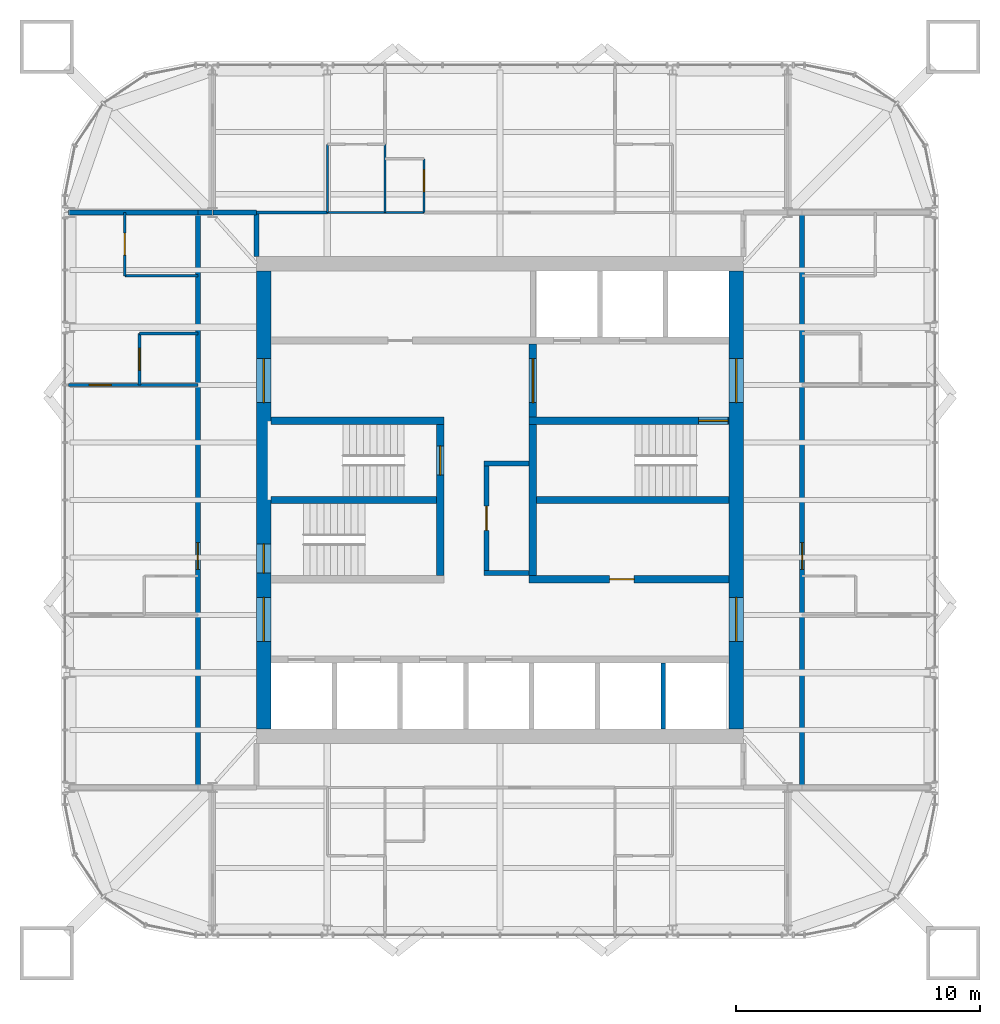
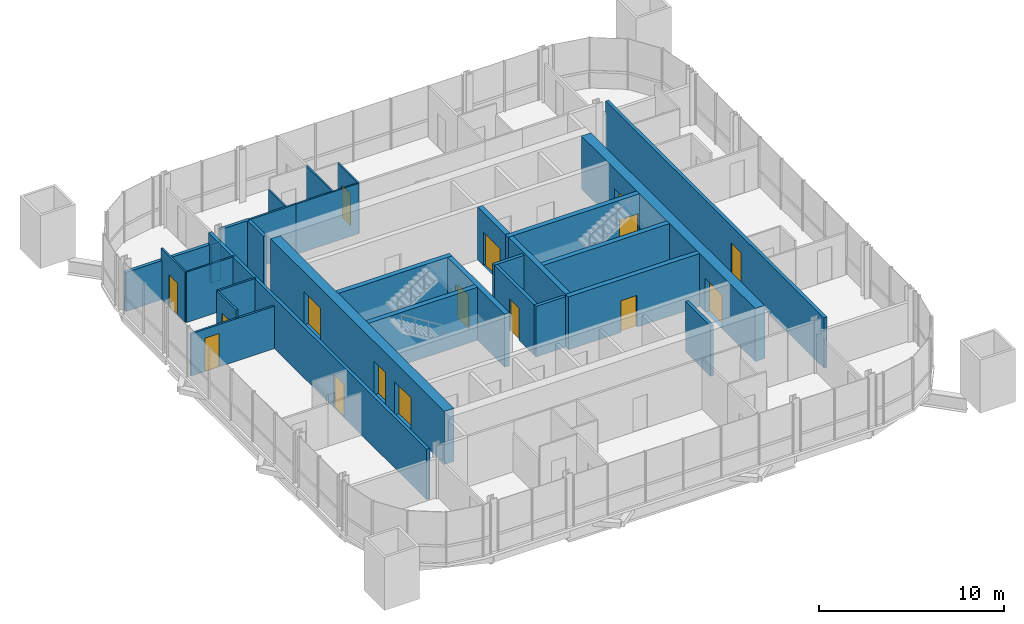
# One storey, part 14 of 17: 29 walls, 16 doors, 16 openings.
"""IFC4 building model written with IfcOpenShell, lengths in metres."""

from ifc_helpers import new_model, si_unit, direction, frame, frame_2d, origin, place, context, subcontext, project, spatial, rectangle, extrude, material, layer, layer_set, type_object, element, fill, save


model = new_model("IFC4")

# Units and contexts
model_context = context("Model", 3, precision=1e-05, world=origin(), true_north=direction((0.0, 1.0)))
body_context = subcontext(model_context, "Body", "Model", "MODEL_VIEW")
ifc_project = project(units=[si_unit("LENGTHUNIT", "METRE"), si_unit("AREAUNIT", "SQUARE_METRE"), si_unit("VOLUMEUNIT", "CUBIC_METRE"), si_unit("PLANEANGLEUNIT", "RADIAN"), si_unit("MASSUNIT", "GRAM", prefix="KILO")], contexts=[model_context])

# Site, building, storey
site_placement = place(None, origin())
site = spatial("IfcSite", under=ifc_project, at=site_placement, CompositionType="ELEMENT")
building_placement = place(site_placement, origin())
building = spatial("IfcBuilding", under=site, at=building_placement, Name="Turquesa Mirador Hotel Tower", CompositionType="ELEMENT")
storey_placement = place(building_placement, frame((0.0, 0.0, 254.699951171875)))
storey = spatial("IfcBuildingStorey", under=building, at=storey_placement, Name="L69", CompositionType="ELEMENT", Elevation=254.699951171875)

# Walls
ifc_material_1 = material(Name="Gypsum board on steel studs", Category="steel")
ifc_layer_1 = layer(ifc_material_1, 0.10009765625)
ifc_layer_set_1 = layer_set([ifc_layer_1], Name="BATHROOM WALL 100")
wall_type_1 = type_object("IfcWallType", Name="BATHROOM WALL 100", PredefinedType="PARTITIONING", material=ifc_layer_set_1)
wall_1_placement = place(storey_placement, frame((47.919921875, 56.800048828125, 0.0), z_axis=(0.0, 0.0, 1.0), x_axis=(1.0, 0.0, 0.0)))
element("IfcWall", 1, at=wall_1_placement, inside=storey, type_object=wall_type_1, Name="Partition L69 019", PredefinedType="PARTITIONING", context=body_context, shape_type="SweptSolid", body=[
    extrude(rectangle(XDim=3.9599609375, YDim=0.10009765625, at=frame_2d((1.97998046875, 0.0))), origin(), (0.0, 0.0, 1.0), 3.330078125),
])
wall_2_placement = place(storey_placement, frame((39.60009765625, 54.199951171875, 0.0), z_axis=(0.0, 0.0, 1.0), x_axis=(1.0, 0.0, 0.0)))
element("IfcWall", 2, at=wall_2_placement, inside=storey, type_object=wall_type_1, Name="Partition L69 035", PredefinedType="PARTITIONING", context=body_context, shape_type="SweptSolid", body=[
    extrude(rectangle(XDim=3.0, YDim=0.10009765625, at=frame_2d((1.5, 0.0))), origin(), (0.0, 0.0, 1.0), 3.330078125),
])

# Wall, opening, door
wall_3_placement = place(storey_placement, frame((39.60009765625, 54.199951171875, 0.0), z_axis=(0.0, 0.0, 1.0), x_axis=(0.0, 1.0, 0.0)))
wall_3 = element("IfcWall", 3, at=wall_3_placement, inside=storey, type_object=wall_type_1, Name="Partition L69 044", PredefinedType="PARTITIONING", context=body_context, shape_type="SweptSolid", body=[
    extrude(rectangle(XDim=2.60009765625, YDim=0.10009765625, at=frame_2d((1.300048828125, 0.0))), origin(), (0.0, 0.0, 1.0), 3.330078125),
])
opening_1_placement = place(wall_3_placement, frame((0.85009765625, 0.0, 0.0)))
opening_1 = element("IfcOpeningElement", 4, at=opening_1_placement, cuts=wall_3, Name="Opening D02", PredefinedType="OPENING", context=body_context, shape_type="SweptSolid", body=[
    extrude(rectangle(XDim=0.89990234375, YDim=2.10009765625, at=frame_2d((0.449951171875, 1.050048828125))), frame((0.0, 0.06005859375, 0.0), z_axis=(0.0, -1.0, 0.0), x_axis=(1.0, 0.0, 0.0)), (0.0, 0.0, 1.0), 0.1201171875),
])
ifc_material_2 = material(Name="Timber veneered door", Category="wood")
door_type_1 = type_object("IfcDoorType", Name="DOOR 900X2100 EN-SUITE", OperationType="SINGLE_SWING_RIGHT", PredefinedType="DOOR", material=ifc_material_2)
door_1_placement = place(opening_1_placement, origin())
door_1 = element("IfcDoor", 5, at=door_1_placement, inside=storey, type_object=door_type_1, Name="Door 6904B", OperationType="SINGLE_SWING_RIGHT", OverallHeight=2.10009765625, OverallWidth=0.89990234375, PredefinedType="DOOR", context=body_context, shape_type="SweptSolid", body=[
    extrude(rectangle(XDim=0.89990234375, YDim=2.10009765625, at=frame_2d((0.449951171875, 1.050048828125))), frame((0.0, 0.02490234375, 0.0), z_axis=(0.0, -1.0, 0.0), x_axis=(1.0, 0.0, 0.0)), (0.0, 0.0, 1.0), 0.050048828125),
])
fill(opening_1, door_1)

wall_4_placement = place(storey_placement, frame((51.8798828125, 56.800048828125, 0.0), z_axis=(0.0, 0.0, 1.0), x_axis=(0.0, 1.0, 0.0)))
wall_4 = element("IfcWall", 6, at=wall_4_placement, inside=storey, type_object=wall_type_1, Name="Partition L69 046", PredefinedType="PARTITIONING", context=body_context, shape_type="SweptSolid", body=[
    extrude(rectangle(XDim=2.199951171875, YDim=0.10009765625, at=frame_2d((1.10009765625, 0.0))), origin(), (0.0, 0.0, 1.0), 3.330078125),
])
opening_2_placement = place(wall_4_placement, frame((0.85009765625, 0.0, 0.0)))
opening_2 = element("IfcOpeningElement", 7, at=opening_2_placement, cuts=wall_4, Name="Opening D06", PredefinedType="OPENING", context=body_context, shape_type="SweptSolid", body=[
    extrude(rectangle(XDim=0.89990234375, YDim=2.10009765625, at=frame_2d((0.449951171875, 1.050048828125))), frame((0.0, 0.06005859375, 0.0), z_axis=(0.0, -1.0, 0.0), x_axis=(1.0, 0.0, 0.0)), (0.0, 0.0, 1.0), 0.1201171875),
])
ifc_material_3 = material(Name="Laminate door", Category="wood")
door_type_2 = type_object("IfcDoorType", Name="DOOR 900X2100 WC", OperationType="SINGLE_SWING_LEFT", PredefinedType="DOOR", material=ifc_material_3)
door_2_placement = place(opening_2_placement, origin())
door_2 = element("IfcDoor", 8, at=door_2_placement, inside=storey, type_object=door_type_2, Name="Door 6901W", OperationType="SINGLE_SWING_LEFT", OverallHeight=2.10009765625, OverallWidth=0.89990234375, PredefinedType="DOOR", context=body_context, shape_type="SweptSolid", body=[
    extrude(rectangle(XDim=0.89990234375, YDim=2.10009765625, at=frame_2d((0.449951171875, 1.050048828125))), frame((0.0, 0.02490234375, 0.0), z_axis=(0.0, -1.0, 0.0), x_axis=(1.0, 0.0, 0.0)), (0.0, 0.0, 1.0), 0.050048828125),
])
fill(opening_2, door_2)

# Walls
wall_5_placement = place(storey_placement, frame((50.280029296875, 56.800048828125, 0.0), z_axis=(0.0, 0.0, 1.0), x_axis=(0.0, 1.0, 0.0)))
element("IfcWall", 9, at=wall_5_placement, inside=storey, type_object=wall_type_1, Name="Partition L69 048", PredefinedType="PARTITIONING", context=body_context, shape_type="SweptSolid", body=[
    extrude(rectangle(XDim=2.800048828125, YDim=0.10009765625, at=frame_2d((1.39990234375, 0.0))), origin(), (0.0, 0.0, 1.0), 3.330078125),
])
wall_6_placement = place(storey_placement, frame((47.919921875, 56.800048828125, 0.0), z_axis=(0.0, 0.0, 1.0), x_axis=(0.0, 1.0, 0.0)))
element("IfcWall", 10, at=wall_6_placement, inside=storey, type_object=wall_type_1, Name="Partition L69 052", PredefinedType="PARTITIONING", context=body_context, shape_type="SweptSolid", body=[
    extrude(rectangle(XDim=2.800048828125, YDim=0.10009765625, at=frame_2d((1.39990234375, 0.0))), origin(), (0.0, 0.0, 1.0), 2.5732421875),
])
ifc_material_4 = material(Name="Concrete C50/60", Category="concrete")
ifc_layer_2 = layer(ifc_material_4, 0.300048828125)
ifc_layer_set_2 = layer_set([ifc_layer_2], Name="CORE INNER WALL 300")
wall_type_2 = type_object("IfcWallType", Name="CORE INNER WALL 300", PredefinedType="SHEAR", material=ifc_layer_set_2)
wall_7_placement = place(storey_placement, frame((45.60009765625, 48.25, 0.0), z_axis=(0.0, 0.0, 1.0), x_axis=(1.0, 0.0, 0.0)))
element("IfcWall", 11, at=wall_7_placement, inside=storey, type_object=wall_type_2, Name="Core wall MN-W", PredefinedType="SHEAR", context=body_context, shape_type="SweptSolid", body=[
    extrude(rectangle(XDim=7.099853515625, YDim=0.300048828125, at=frame_2d((3.5498046875, 0.0))), origin(), (0.0, 0.0, 1.0), 3.5),
])

# Wall, opening, door
wall_8_placement = place(storey_placement, frame((56.199951171875, 48.25, 0.0), z_axis=(0.0, 0.0, 1.0), x_axis=(1.0, 0.0, 0.0)))
wall_8 = element("IfcWall", 12, at=wall_8_placement, inside=storey, type_object=wall_type_2, Name="Core wall MN-E", PredefinedType="SHEAR", context=body_context, shape_type="SweptSolid", body=[
    extrude(rectangle(XDim=8.199951171875, YDim=0.300048828125, at=frame_2d((4.10009765625, 0.0))), origin(), (0.0, 0.0, 1.0), 3.5),
])
opening_3_placement = place(wall_8_placement, frame((6.949951171875, 0.0, 0.0)))
opening_3 = element("IfcOpeningElement", 13, at=opening_3_placement, cuts=wall_8, Name="Opening D03", PredefinedType="OPENING", context=body_context, shape_type="SweptSolid", body=[
    extrude(rectangle(XDim=1.199951171875, YDim=2.199951171875, at=frame_2d((0.60009765625, 1.10009765625))), frame((0.0, 0.159912109375, 0.0), z_axis=(0.0, -1.0, 0.0), x_axis=(1.0, 0.0, 0.0)), (0.0, 0.0, 1.0), 0.320068359375),
])
ifc_material_5 = material(Name="Steel fire door", Category="steel")
door_type_3 = type_object("IfcDoorType", Name="DOOR 1200X2200 STAIR", OperationType="SINGLE_SWING_LEFT", PredefinedType="DOOR", material=ifc_material_5)
door_3_placement = place(opening_3_placement, origin())
door_3 = element("IfcDoor", 14, at=door_3_placement, inside=storey, type_object=door_type_3, Name="Stair ST3 door", OperationType="SINGLE_SWING_LEFT", OverallHeight=2.199951171875, OverallWidth=1.199951171875, PredefinedType="DOOR", context=body_context, shape_type="SweptSolid", body=[
    extrude(rectangle(XDim=1.199951171875, YDim=2.199951171875, at=frame_2d((0.60009765625, 1.10009765625))), frame((0.0, 0.02490234375, 0.0), z_axis=(0.0, -1.0, 0.0), x_axis=(1.0, 0.0, 0.0)), (0.0, 0.0, 1.0), 0.050048828125),
])
fill(opening_3, door_3)

wall_9_placement = place(storey_placement, frame((56.199951171875, 41.75, 0.0), z_axis=(0.0, 0.0, 1.0), x_axis=(1.0, 0.0, 0.0)))
wall_9 = element("IfcWall", 15, at=wall_9_placement, inside=storey, type_object=wall_type_2, Name="Core wall MS-E", PredefinedType="SHEAR", context=body_context, shape_type="SweptSolid", body=[
    extrude(rectangle(XDim=8.199951171875, YDim=0.300048828125, at=frame_2d((4.10009765625, 0.0))), origin(), (0.0, 0.0, 1.0), 3.5),
])
opening_4_placement = place(wall_9_placement, frame((3.300048828125, 0.0, 0.0)))
opening_4 = element("IfcOpeningElement", 16, at=opening_4_placement, cuts=wall_9, Name="Opening D05", PredefinedType="OPENING", context=body_context, shape_type="SweptSolid", body=[
    extrude(rectangle(XDim=1.0, YDim=2.10009765625, at=frame_2d((0.5, 1.050048828125))), frame((0.0, 0.159912109375, 0.0), z_axis=(0.0, -1.0, 0.0), x_axis=(1.0, 0.0, 0.0)), (0.0, 0.0, 1.0), 0.320068359375),
])
ifc_material_6 = material(Name="Steel fire door", Category="steel")
door_type_4 = type_object("IfcDoorType", Name="DOOR 1000X2100 SERVICE", OperationType="SINGLE_SWING_LEFT", PredefinedType="DOOR", material=ifc_material_6)
door_4_placement = place(opening_4_placement, origin())
door_4 = element("IfcDoor", 17, at=door_4_placement, inside=storey, type_object=door_type_4, Name="Housekeeping room door", OperationType="SINGLE_SWING_LEFT", OverallHeight=2.10009765625, OverallWidth=1.0, PredefinedType="DOOR", context=body_context, shape_type="SweptSolid", body=[
    extrude(rectangle(XDim=1.0, YDim=2.10009765625, at=frame_2d((0.5, 1.050048828125))), frame((0.0, 0.02490234375, 0.0), z_axis=(0.0, -1.0, 0.0), x_axis=(1.0, 0.0, 0.0)), (0.0, 0.0, 1.0), 0.050048828125),
])
fill(opening_4, door_4)

wall_10_placement = place(storey_placement, frame((52.550048828125, 41.89990234375, 0.0), z_axis=(0.0, 0.0, 1.0), x_axis=(0.0, 1.0, 0.0)))
wall_10 = element("IfcWall", 18, at=wall_10_placement, inside=storey, type_object=wall_type_2, Name="Core wall PW", PredefinedType="SHEAR", context=body_context, shape_type="SweptSolid", body=[
    extrude(rectangle(XDim=6.2001953125, YDim=0.300048828125, at=frame_2d((3.10009765625, 0.0))), origin(), (0.0, 0.0, 1.0), 3.5),
])
opening_5_placement = place(wall_10_placement, frame((4.125, 0.0, 0.0)))
opening_5 = element("IfcOpeningElement", 19, at=opening_5_placement, cuts=wall_10, Name="Opening D03", PredefinedType="OPENING", context=body_context, shape_type="SweptSolid", body=[
    extrude(rectangle(XDim=1.199951171875, YDim=2.199951171875, at=frame_2d((0.60009765625, 1.10009765625))), frame((0.0, 0.159912109375, 0.0), z_axis=(0.0, -1.0, 0.0), x_axis=(1.0, 0.0, 0.0)), (0.0, 0.0, 1.0), 0.320068359375),
])
door_5_placement = place(opening_5_placement, origin())
door_5 = element("IfcDoor", 20, at=door_5_placement, inside=storey, type_object=door_type_3, Name="Stair ST1 door", OperationType="SINGLE_SWING_LEFT", OverallHeight=2.199951171875, OverallWidth=1.199951171875, PredefinedType="DOOR", context=body_context, shape_type="SweptSolid", body=[
    extrude(rectangle(XDim=1.199951171875, YDim=2.199951171875, at=frame_2d((0.60009765625, 1.10009765625))), frame((0.0, 0.02490234375, 0.0), z_axis=(0.0, -1.0, 0.0), x_axis=(1.0, 0.0, 0.0)), (0.0, 0.0, 1.0), 0.050048828125),
])
fill(opening_5, door_5)

wall_11_placement = place(storey_placement, frame((56.35009765625, 41.89990234375, 0.0), z_axis=(0.0, 0.0, 1.0), x_axis=(0.0, 1.0, 0.0)))
wall_11 = element("IfcWall", 21, at=wall_11_placement, inside=storey, type_object=wall_type_2, Name="Core wall PE", PredefinedType="SHEAR", context=body_context, shape_type="SweptSolid", body=[
    extrude(rectangle(XDim=9.5, YDim=0.300048828125, at=frame_2d((4.75, 0.0))), origin(), (0.0, 0.0, 1.0), 3.5),
])
opening_6_placement = place(wall_11_placement, frame((7.10009765625, 0.0, 0.0)))
opening_6 = element("IfcOpeningElement", 22, at=opening_6_placement, cuts=wall_11, Name="Opening D04", PredefinedType="OPENING", context=body_context, shape_type="SweptSolid", body=[
    extrude(rectangle(XDim=1.800048828125, YDim=2.199951171875, at=frame_2d((0.89990234375, 1.10009765625))), frame((0.0, 0.159912109375, 0.0), z_axis=(0.0, -1.0, 0.0), x_axis=(1.0, 0.0, 0.0)), (0.0, 0.0, 1.0), 0.320068359375),
])
ifc_material_7 = material(Name="Steel fire door pair", Category="steel")
door_type_5 = type_object("IfcDoorType", Name="DOOR 1800X2200 PAIR", OperationType="DOUBLE_DOOR_SINGLE_SWING", PredefinedType="DOOR", material=ifc_material_7)
door_6_placement = place(opening_6_placement, origin())
door_6 = element("IfcDoor", 23, at=door_6_placement, inside=storey, type_object=door_type_5, Name="Firefighting lobby inner door", OperationType="DOUBLE_DOOR_SINGLE_SWING", OverallHeight=2.199951171875, OverallWidth=1.800048828125, PredefinedType="DOOR", context=body_context, shape_type="SweptSolid", body=[
    extrude(rectangle(XDim=1.800048828125, YDim=2.199951171875, at=frame_2d((0.89990234375, 1.10009765625))), frame((0.0, 0.02490234375, 0.0), z_axis=(0.0, -1.0, 0.0), x_axis=(1.0, 0.0, 0.0)), (0.0, 0.0, 1.0), 0.050048828125),
])
fill(opening_6, door_6)

# Walls
wall_12_placement = place(storey_placement, frame((45.60009765625, 45.0, 0.0), z_axis=(0.0, 0.0, 1.0), x_axis=(1.0, 0.0, 0.0)))
element("IfcWall", 24, at=wall_12_placement, inside=storey, type_object=wall_type_2, Name="Core wall M0-W", PredefinedType="SHEAR", context=body_context, shape_type="SweptSolid", body=[
    extrude(rectangle(XDim=6.7998046875, YDim=0.300048828125, at=frame_2d((3.39990234375, 0.0))), origin(), (0.0, 0.0, 1.0), 3.5),
])
wall_13_placement = place(storey_placement, frame((56.5, 45.0, 0.0), z_axis=(0.0, 0.0, 1.0), x_axis=(1.0, 0.0, 0.0)))
element("IfcWall", 25, at=wall_13_placement, inside=storey, type_object=wall_type_2, Name="Core wall M0-E", PredefinedType="SHEAR", context=body_context, shape_type="SweptSolid", body=[
    extrude(rectangle(XDim=7.89990234375, YDim=0.300048828125, at=frame_2d((3.949951171875, 0.0))), origin(), (0.0, 0.0, 1.0), 3.5),
])

# Wall, openings, doors
ifc_material_8 = material(Name="Concrete C50/60", Category="concrete")
ifc_layer_3 = layer(ifc_material_8, 0.60009765625)
ifc_layer_set_3 = layer_set([ifc_layer_3], Name="CORE WALL 600")
wall_type_3 = type_object("IfcWallType", Name="CORE WALL 600", PredefinedType="SHEAR", material=ifc_layer_set_3)
wall_14_placement = place(storey_placement, frame((64.699951171875, 35.60009765625, 0.0), z_axis=(0.0, 0.0, 1.0), x_axis=(0.0, 1.0, 0.0)))
wall_14 = element("IfcWall", 26, at=wall_14_placement, inside=storey, type_object=wall_type_3, Name="Core wall E", PredefinedType="SHEAR", context=body_context, shape_type="SweptSolid", body=[
    extrude(rectangle(XDim=18.7998046875, YDim=0.60009765625, at=frame_2d((9.39990234375, 0.0))), origin(), (0.0, 0.0, 1.0), 3.5),
])
opening_7_placement = place(wall_14_placement, frame((13.39990234375, 0.0, 0.0)))
opening_7 = element("IfcOpeningElement", 27, at=opening_7_placement, cuts=wall_14, Name="Opening D04", PredefinedType="OPENING", context=body_context, shape_type="SweptSolid", body=[
    extrude(rectangle(XDim=1.800048828125, YDim=2.199951171875, at=frame_2d((0.89990234375, 1.10009765625))), frame((0.0, 0.31005859375, 0.0), z_axis=(0.0, -1.0, 0.0), x_axis=(1.0, 0.0, 0.0)), (0.0, 0.0, 1.0), 0.6201171875),
])
opening_8_placement = place(wall_14_placement, frame((3.60009765625, 0.0, 0.0)))
opening_8 = element("IfcOpeningElement", 28, at=opening_8_placement, cuts=wall_14, Name="Opening D04", PredefinedType="OPENING", context=body_context, shape_type="SweptSolid", body=[
    extrude(rectangle(XDim=1.800048828125, YDim=2.199951171875, at=frame_2d((0.89990234375, 1.10009765625))), frame((0.0, 0.31005859375, 0.0), z_axis=(0.0, -1.0, 0.0), x_axis=(1.0, 0.0, 0.0)), (0.0, 0.0, 1.0), 0.6201171875),
])
door_7_placement = place(opening_7_placement, origin())
door_7 = element("IfcDoor", 29, at=door_7_placement, inside=storey, type_object=door_type_5, Name="Firefighting lobby door", OperationType="DOUBLE_DOOR_SINGLE_SWING", OverallHeight=2.199951171875, OverallWidth=1.800048828125, PredefinedType="DOOR", context=body_context, shape_type="SweptSolid", body=[
    extrude(rectangle(XDim=1.800048828125, YDim=2.199951171875, at=frame_2d((0.89990234375, 1.10009765625))), frame((0.0, 0.02490234375, 0.0), z_axis=(0.0, -1.0, 0.0), x_axis=(1.0, 0.0, 0.0)), (0.0, 0.0, 1.0), 0.050048828125),
])
fill(opening_7, door_7)
door_8_placement = place(opening_8_placement, origin())
door_8 = element("IfcDoor", 30, at=door_8_placement, inside=storey, type_object=door_type_5, Name="South lift lobby door", OperationType="DOUBLE_DOOR_SINGLE_SWING", OverallHeight=2.199951171875, OverallWidth=1.800048828125, PredefinedType="DOOR", context=body_context, shape_type="SweptSolid", body=[
    extrude(rectangle(XDim=1.800048828125, YDim=2.199951171875, at=frame_2d((0.89990234375, 1.10009765625))), frame((0.0, 0.02490234375, 0.0), z_axis=(0.0, -1.0, 0.0), x_axis=(1.0, 0.0, 0.0)), (0.0, 0.0, 1.0), 0.050048828125),
])
fill(opening_8, door_8)

wall_15_placement = place(storey_placement, frame((45.300048828125, 35.60009765625, 0.0), z_axis=(0.0, 0.0, 1.0), x_axis=(0.0, 1.0, 0.0)))
wall_15 = element("IfcWall", 31, at=wall_15_placement, inside=storey, type_object=wall_type_3, Name="Core wall W", PredefinedType="SHEAR", context=body_context, shape_type="SweptSolid", body=[
    extrude(rectangle(XDim=18.7998046875, YDim=0.60009765625, at=frame_2d((9.39990234375, 0.0))), origin(), (0.0, 0.0, 1.0), 3.5),
])
opening_9_placement = place(wall_15_placement, frame((13.39990234375, 0.0, 0.0)))
opening_9 = element("IfcOpeningElement", 32, at=opening_9_placement, cuts=wall_15, Name="Opening D04", PredefinedType="OPENING", context=body_context, shape_type="SweptSolid", body=[
    extrude(rectangle(XDim=1.800048828125, YDim=2.199951171875, at=frame_2d((0.89990234375, 1.10009765625))), frame((0.0, 0.31005859375, 0.0), z_axis=(0.0, -1.0, 0.0), x_axis=(1.0, 0.0, 0.0)), (0.0, 0.0, 1.0), 0.6201171875),
])
opening_10_placement = place(wall_15_placement, frame((3.60009765625, 0.0, 0.0)))
opening_10 = element("IfcOpeningElement", 33, at=opening_10_placement, cuts=wall_15, Name="Opening D04", PredefinedType="OPENING", context=body_context, shape_type="SweptSolid", body=[
    extrude(rectangle(XDim=1.800048828125, YDim=2.199951171875, at=frame_2d((0.89990234375, 1.10009765625))), frame((0.0, 0.31005859375, 0.0), z_axis=(0.0, -1.0, 0.0), x_axis=(1.0, 0.0, 0.0)), (0.0, 0.0, 1.0), 0.6201171875),
])
opening_11_placement = place(wall_15_placement, frame((6.39990234375, 0.0, 0.0)))
opening_11 = element("IfcOpeningElement", 34, at=opening_11_placement, cuts=wall_15, Name="Opening D03", PredefinedType="OPENING", context=body_context, shape_type="SweptSolid", body=[
    extrude(rectangle(XDim=1.199951171875, YDim=2.199951171875, at=frame_2d((0.60009765625, 1.10009765625))), frame((0.0, 0.31005859375, 0.0), z_axis=(0.0, -1.0, 0.0), x_axis=(1.0, 0.0, 0.0)), (0.0, 0.0, 1.0), 0.6201171875),
])
door_9_placement = place(opening_11_placement, origin())
door_9 = element("IfcDoor", 35, at=door_9_placement, inside=storey, type_object=door_type_3, Name="Stair ST2 door", OperationType="SINGLE_SWING_LEFT", OverallHeight=2.199951171875, OverallWidth=1.199951171875, PredefinedType="DOOR", context=body_context, shape_type="SweptSolid", body=[
    extrude(rectangle(XDim=1.199951171875, YDim=2.199951171875, at=frame_2d((0.60009765625, 1.10009765625))), frame((0.0, 0.02490234375, 0.0), z_axis=(0.0, -1.0, 0.0), x_axis=(1.0, 0.0, 0.0)), (0.0, 0.0, 1.0), 0.050048828125),
])
fill(opening_11, door_9)
door_10_placement = place(opening_9_placement, origin())
door_10 = element("IfcDoor", 36, at=door_10_placement, inside=storey, type_object=door_type_5, Name="North lift lobby door", OperationType="DOUBLE_DOOR_SINGLE_SWING", OverallHeight=2.199951171875, OverallWidth=1.800048828125, PredefinedType="DOOR", context=body_context, shape_type="SweptSolid", body=[
    extrude(rectangle(XDim=1.800048828125, YDim=2.199951171875, at=frame_2d((0.89990234375, 1.10009765625))), frame((0.0, 0.02490234375, 0.0), z_axis=(0.0, -1.0, 0.0), x_axis=(1.0, 0.0, 0.0)), (0.0, 0.0, 1.0), 0.050048828125),
])
fill(opening_9, door_10)
door_11_placement = place(opening_10_placement, origin())
door_11 = element("IfcDoor", 37, at=door_11_placement, inside=storey, type_object=door_type_5, Name="South lift lobby door", OperationType="DOUBLE_DOOR_SINGLE_SWING", OverallHeight=2.199951171875, OverallWidth=1.800048828125, PredefinedType="DOOR", context=body_context, shape_type="SweptSolid", body=[
    extrude(rectangle(XDim=1.800048828125, YDim=2.199951171875, at=frame_2d((0.89990234375, 1.10009765625))), frame((0.0, 0.02490234375, 0.0), z_axis=(0.0, -1.0, 0.0), x_axis=(1.0, 0.0, 0.0)), (0.0, 0.0, 1.0), 0.050048828125),
])
fill(opening_10, door_11)

# Walls
ifc_material_9 = material(Name="Fire-rated gypsum board on steel studs", Category="steel")
ifc_layer_4 = layer(ifc_material_9, 0.199951171875)
ifc_layer_set_4 = layer_set([ifc_layer_4], Name="CORRIDOR WALL 200")
wall_type_4 = type_object("IfcWallType", Name="CORRIDOR WALL 200", PredefinedType="PARTITIONING", material=ifc_layer_set_4)
wall_16_placement = place(storey_placement, frame((43.219970703125, 56.800048828125, 0.0), z_axis=(0.0, 0.0, 1.0), x_axis=(1.0, 0.0, 0.0)))
element("IfcWall", 38, at=wall_16_placement, inside=storey, type_object=wall_type_4, Name="Partition L69 021", PredefinedType="PARTITIONING", context=body_context, shape_type="SweptSolid", body=[
    extrude(rectangle(XDim=1.780029296875, YDim=0.199951171875, at=frame_2d((0.89013671875, 0.0))), origin(), (0.0, 0.0, 1.0), 3.330078125),
])
wall_17_placement = place(storey_placement, frame((45.0, 55.0, 0.0), z_axis=(0.0, 0.0, 1.0), x_axis=(0.0, 1.0, 0.0)))
element("IfcWall", 39, at=wall_17_placement, inside=storey, type_object=wall_type_4, Name="Partition L69 038", PredefinedType="PARTITIONING", context=body_context, shape_type="SweptSolid", body=[
    extrude(rectangle(XDim=1.800048828125, YDim=0.199951171875, at=frame_2d((0.89990234375, 0.0))), origin(), (0.0, 0.0, 1.0), 3.330078125),
])

# Wall, opening, door
wall_18_placement = place(storey_placement, frame((42.60009765625, 33.199951171875, 0.0), z_axis=(0.0, 0.0, 1.0), x_axis=(0.0, 1.0, 0.0)))
wall_18 = element("IfcWall", 40, at=wall_18_placement, inside=storey, type_object=wall_type_4, Name="Partition L69 041", PredefinedType="PARTITIONING", context=body_context, shape_type="SweptSolid", body=[
    extrude(rectangle(XDim=23.60009765625, YDim=0.199951171875, at=frame_2d((11.800048828125, 0.0))), origin(), (0.0, 0.0, 1.0), 3.330078125),
])
opening_12_placement = place(wall_18_placement, frame((8.949951171875, 0.0, 0.0)))
opening_12 = element("IfcOpeningElement", 41, at=opening_12_placement, cuts=wall_18, Name="Opening D15", PredefinedType="OPENING", context=body_context, shape_type="SweptSolid", body=[
    extrude(rectangle(XDim=1.10009765625, YDim=2.199951171875, at=frame_2d((0.550048828125, 1.10009765625))), frame((0.0, 0.10986328125, 0.0), z_axis=(0.0, -1.0, 0.0), x_axis=(1.0, 0.0, 0.0)), (0.0, 0.0, 1.0), 0.219970703125),
])
ifc_material_10 = material(Name="Timber veneered fire door", Category="wood")
door_type_6 = type_object("IfcDoorType", Name="DOOR 1100X2200 SUITE ENTRY", OperationType="SINGLE_SWING_LEFT", PredefinedType="DOOR", material=ifc_material_10)
door_12_placement = place(opening_12_placement, origin())
door_12 = element("IfcDoor", 42, at=door_12_placement, inside=storey, type_object=door_type_6, Name="Door 6904", OperationType="SINGLE_SWING_LEFT", OverallHeight=2.199951171875, OverallWidth=1.10009765625, PredefinedType="DOOR", context=body_context, shape_type="SweptSolid", body=[
    extrude(rectangle(XDim=1.10009765625, YDim=2.199951171875, at=frame_2d((0.550048828125, 1.10009765625))), frame((0.0, 0.02490234375, 0.0), z_axis=(0.0, -1.0, 0.0), x_axis=(1.0, 0.0, 0.0)), (0.0, 0.0, 1.0), 0.050048828125),
])
fill(opening_12, door_12)

wall_19_placement = place(storey_placement, frame((67.39990234375, 33.199951171875, 0.0), z_axis=(0.0, 0.0, 1.0), x_axis=(0.0, 1.0, 0.0)))
wall_19 = element("IfcWall", 43, at=wall_19_placement, inside=storey, type_object=wall_type_4, Name="Partition L69 057", PredefinedType="PARTITIONING", context=body_context, shape_type="SweptSolid", body=[
    extrude(rectangle(XDim=23.60009765625, YDim=0.199951171875, at=frame_2d((11.800048828125, 0.0))), origin(), (0.0, 0.0, 1.0), 3.330078125),
])
opening_13_placement = place(wall_19_placement, frame((8.949951171875, 0.0, 0.0)))
opening_13 = element("IfcOpeningElement", 44, at=opening_13_placement, cuts=wall_19, Name="Opening D15", PredefinedType="OPENING", context=body_context, shape_type="SweptSolid", body=[
    extrude(rectangle(XDim=1.10009765625, YDim=2.199951171875, at=frame_2d((0.550048828125, 1.10009765625))), frame((0.0, 0.10986328125, 0.0), z_axis=(0.0, -1.0, 0.0), x_axis=(1.0, 0.0, 0.0)), (0.0, 0.0, 1.0), 0.219970703125),
])
door_13_placement = place(opening_13_placement, origin())
door_13 = element("IfcDoor", 45, at=door_13_placement, inside=storey, type_object=door_type_6, Name="Door 6903", OperationType="SINGLE_SWING_LEFT", OverallHeight=2.199951171875, OverallWidth=1.10009765625, PredefinedType="DOOR", context=body_context, shape_type="SweptSolid", body=[
    extrude(rectangle(XDim=1.10009765625, YDim=2.199951171875, at=frame_2d((0.550048828125, 1.10009765625))), frame((0.0, 0.02490234375, 0.0), z_axis=(0.0, -1.0, 0.0), x_axis=(1.0, 0.0, 0.0)), (0.0, 0.0, 1.0), 0.050048828125),
])
fill(opening_13, door_13)

# Wall
wall_20_placement = place(storey_placement, frame((42.60009765625, 56.800048828125, 0.0), z_axis=(0.0, 0.0, 1.0), x_axis=(1.0, 0.0, 0.0)))
element("IfcWall", 46, at=wall_20_placement, inside=storey, type_object=wall_type_4, Name="Partition L69 069", PredefinedType="PARTITIONING", context=body_context, shape_type="SweptSolid", body=[
    extrude(rectangle(XDim=0.619873046875, YDim=0.199951171875, at=frame_2d((0.31005859375, 0.0))), origin(), (0.0, 0.0, 1.0), 2.5732421875),
])

# Wall, opening, door
ifc_material_11 = material(Name="Fire-rated gypsum board on steel studs", Category="steel")
ifc_layer_5 = layer(ifc_material_11, 0.199951171875)
ifc_layer_set_5 = layer_set([ifc_layer_5], Name="FIRE PARTITION 200")
wall_type_5 = type_object("IfcWallType", Name="FIRE PARTITION 200", PredefinedType="PARTITIONING", material=ifc_layer_set_5)
wall_21_placement = place(storey_placement, frame((54.449951171875, 42.0, 0.0), z_axis=(0.0, 0.0, 1.0), x_axis=(0.0, 1.0, 0.0)))
wall_21 = element("IfcWall", 47, at=wall_21_placement, inside=storey, type_object=wall_type_5, Name="Partition L69 BO W", PredefinedType="PARTITIONING", context=body_context, shape_type="SweptSolid", body=[
    extrude(rectangle(XDim=4.5, YDim=0.199951171875, at=frame_2d((2.25, 0.0))), origin(), (0.0, 0.0, 1.0), 3.330078125),
])
opening_14_placement = place(wall_21_placement, frame((1.75, 0.0, 0.0)))
opening_14 = element("IfcOpeningElement", 48, at=opening_14_placement, cuts=wall_21, Name="Opening D05", PredefinedType="OPENING", context=body_context, shape_type="SweptSolid", body=[
    extrude(rectangle(XDim=1.0, YDim=2.10009765625, at=frame_2d((0.5, 1.050048828125))), frame((0.0, 0.10986328125, 0.0), z_axis=(0.0, -1.0, 0.0), x_axis=(1.0, 0.0, 0.0)), (0.0, 0.0, 1.0), 0.219970703125),
])
door_14_placement = place(opening_14_placement, origin())
door_14 = element("IfcDoor", 49, at=door_14_placement, inside=storey, type_object=door_type_4, Name="Butler's pantry door", OperationType="SINGLE_SWING_LEFT", OverallHeight=2.10009765625, OverallWidth=1.0, PredefinedType="DOOR", context=body_context, shape_type="SweptSolid", body=[
    extrude(rectangle(XDim=1.0, YDim=2.10009765625, at=frame_2d((0.5, 1.050048828125))), frame((0.0, 0.02490234375, 0.0), z_axis=(0.0, -1.0, 0.0), x_axis=(1.0, 0.0, 0.0)), (0.0, 0.0, 1.0), 0.050048828125),
])
fill(opening_14, door_14)

# Walls
for number, where, z_axis, x_axis, name in (
    (50, (54.35009765625, 42.0, 0.0), (0.0, 0.0, 1.0), (1.0, 0.0, 0.0), "Partition L69 BO S"),
    (51, (54.35009765625, 46.5, 0.0), (0.0, 0.0, 1.0), (1.0, 0.0, 0.0), "Partition L69 BO N"),
):
    element("IfcWall", number, at=place(storey_placement, frame(where, z_axis=z_axis, x_axis=x_axis)), inside=storey, type_object=wall_type_5, Name=name, PredefinedType="PARTITIONING", context=body_context, shape_type="SweptSolid", body=[
        extrude(rectangle(XDim=1.849853515625, YDim=0.199951171875, at=frame_2d((0.9248046875, 0.0))), origin(), (0.0, 0.0, 1.0), 3.330078125),
    ])
ifc_material_12 = material(Name="Fire-rated gypsum shaft wall on steel studs", Category="steel")
ifc_layer_6 = layer(ifc_material_12, 0.199951171875)
ifc_layer_set_6 = layer_set([ifc_layer_6], Name="LIFT SHAFT DIVIDER 200")
wall_type_6 = type_object("IfcWallType", Name="LIFT SHAFT DIVIDER 200", PredefinedType="PARTITIONING", material=ifc_layer_set_6)
wall_22_placement = place(storey_placement, frame((61.699951171875, 35.60009765625, 0.0), z_axis=(0.0, 0.0, 1.0), x_axis=(0.0, 1.0, 0.0)))
element("IfcWall", 52, at=wall_22_placement, inside=storey, type_object=wall_type_6, Name="Lift shaft divider", PredefinedType="PARTITIONING", context=body_context, shape_type="SweptSolid", body=[
    extrude(rectangle(XDim=2.699951171875, YDim=0.199951171875, at=frame_2d((1.35009765625, 0.0))), origin(), (0.0, 0.0, 1.0), 3.330078125),
])
ifc_material_13 = material(Name="Fire-rated gypsum board on steel studs", Category="steel")
ifc_layer_7 = layer(ifc_material_13, 0.199951171875)
ifc_layer_set_7 = layer_set([ifc_layer_7], Name="PARTY WALL 200")
wall_type_7 = type_object("IfcWallType", Name="PARTY WALL 200", PredefinedType="PARTITIONING", material=ifc_layer_set_7)
wall_23_placement = place(storey_placement, frame((37.300048828125, 56.800048828125, 0.0), z_axis=(0.0, 0.0, 1.0), x_axis=(1.0, 0.0, 0.0)))
element("IfcWall", 53, at=wall_23_placement, inside=storey, type_object=wall_type_7, Name="Partition L69 023", PredefinedType="PARTITIONING", context=body_context, shape_type="SweptSolid", body=[
    extrude(rectangle(XDim=5.300048828125, YDim=0.199951171875, at=frame_2d((2.64990234375, 0.0))), origin(), (0.0, 0.0, 1.0), 2.5732421875),
])
ifc_material_14 = material(Name="Acoustic gypsum board on steel studs", Category="steel")
ifc_layer_8 = layer(ifc_material_14, 0.125)
ifc_layer_set_8 = layer_set([ifc_layer_8], Name="SUITE PARTITION 125")
wall_type_8 = type_object("IfcWallType", Name="SUITE PARTITION 125", PredefinedType="PARTITIONING", material=ifc_layer_set_8)
wall_24_placement = place(storey_placement, frame((45.0, 56.800048828125, 0.0), z_axis=(0.0, 0.0, 1.0), x_axis=(1.0, 0.0, 0.0)))
element("IfcWall", 54, at=wall_24_placement, inside=storey, type_object=wall_type_8, Name="Partition L69 025", PredefinedType="PARTITIONING", context=body_context, shape_type="SweptSolid", body=[
    extrude(rectangle(XDim=2.919921875, YDim=0.125, at=frame_2d((1.4599609375, 0.0))), origin(), (0.0, 0.0, 1.0), 3.330078125),
])

# Wall, opening, door
wall_25_placement = place(storey_placement, frame((37.300048828125, 49.719970703125, 0.0), z_axis=(0.0, 0.0, 1.0), x_axis=(1.0, 0.0, 0.0)))
wall_25 = element("IfcWall", 55, at=wall_25_placement, inside=storey, type_object=wall_type_8, Name="Partition L69 031", PredefinedType="PARTITIONING", context=body_context, shape_type="SweptSolid", body=[
    extrude(rectangle(XDim=5.300048828125, YDim=0.125, at=frame_2d((2.64990234375, 0.0))), origin(), (0.0, 0.0, 1.0), 2.796630859375),
])
opening_15_placement = place(wall_25_placement, frame((0.85009765625, 0.0, 0.0)))
opening_15 = element("IfcOpeningElement", 56, at=opening_15_placement, cuts=wall_25, Name="Opening D17", PredefinedType="OPENING", context=body_context, shape_type="SweptSolid", body=[
    extrude(rectangle(XDim=0.89990234375, YDim=2.199951171875, at=frame_2d((0.449951171875, 1.10009765625))), frame((0.0, 0.072509765625, 0.0), z_axis=(0.0, -1.0, 0.0), x_axis=(1.0, 0.0, 0.0)), (0.0, 0.0, 1.0), 0.14501953125),
])
ifc_material_15 = material(Name="Timber veneered door", Category="wood")
door_type_7 = type_object("IfcDoorType", Name="DOOR 900X2200 SUITE INTERNAL", OperationType="SINGLE_SWING_LEFT", PredefinedType="DOOR", material=ifc_material_15)
door_15_placement = place(opening_15_placement, origin())
door_15 = element("IfcDoor", 57, at=door_15_placement, inside=storey, type_object=door_type_7, Name="Door 6904R", OperationType="SINGLE_SWING_LEFT", OverallHeight=2.199951171875, OverallWidth=0.89990234375, PredefinedType="DOOR", context=body_context, shape_type="SweptSolid", body=[
    extrude(rectangle(XDim=0.89990234375, YDim=2.199951171875, at=frame_2d((0.449951171875, 1.10009765625))), frame((0.0, 0.02490234375, 0.0), z_axis=(0.0, -1.0, 0.0), x_axis=(1.0, 0.0, 0.0)), (0.0, 0.0, 1.0), 0.050048828125),
])
fill(opening_15, door_15)

# Wall
wall_26_placement = place(storey_placement, frame((40.199951171875, 51.840087890625, 0.0), z_axis=(0.0, 0.0, 1.0), x_axis=(1.0, 0.0, 0.0)))
element("IfcWall", 58, at=wall_26_placement, inside=storey, type_object=wall_type_8, Name="Partition L69 033", PredefinedType="PARTITIONING", context=body_context, shape_type="SweptSolid", body=[
    extrude(rectangle(XDim=2.400146484375, YDim=0.125, at=frame_2d((1.2001953125, 0.0))), origin(), (0.0, 0.0, 1.0), 3.330078125),
])

# Wall, opening, door
wall_27_placement = place(storey_placement, frame((40.199951171875, 49.719970703125, 0.0), z_axis=(0.0, 0.0, 1.0), x_axis=(0.0, 1.0, 0.0)))
wall_27 = element("IfcWall", 59, at=wall_27_placement, inside=storey, type_object=wall_type_8, Name="Partition L69 043", PredefinedType="PARTITIONING", context=body_context, shape_type="SweptSolid", body=[
    extrude(rectangle(XDim=2.1201171875, YDim=0.125, at=frame_2d((1.06005859375, 0.0))), origin(), (0.0, 0.0, 1.0), 3.330078125),
])
opening_16_placement = place(wall_27_placement, frame((0.610107421875, 0.0, 0.0)))
opening_16 = element("IfcOpeningElement", 60, at=opening_16_placement, cuts=wall_27, Name="Opening D17", PredefinedType="OPENING", context=body_context, shape_type="SweptSolid", body=[
    extrude(rectangle(XDim=0.89990234375, YDim=2.199951171875, at=frame_2d((0.449951171875, 1.10009765625))), frame((0.0, 0.072509765625, 0.0), z_axis=(0.0, -1.0, 0.0), x_axis=(1.0, 0.0, 0.0)), (0.0, 0.0, 1.0), 0.14501953125),
])
door_16_placement = place(opening_16_placement, origin())
door_16 = element("IfcDoor", 61, at=door_16_placement, inside=storey, type_object=door_type_7, Name="Door 6904D", OperationType="SINGLE_SWING_LEFT", OverallHeight=2.199951171875, OverallWidth=0.89990234375, PredefinedType="DOOR", context=body_context, shape_type="SweptSolid", body=[
    extrude(rectangle(XDim=0.89990234375, YDim=2.199951171875, at=frame_2d((0.449951171875, 1.10009765625))), frame((0.0, 0.02490234375, 0.0), z_axis=(0.0, -1.0, 0.0), x_axis=(1.0, 0.0, 0.0)), (0.0, 0.0, 1.0), 0.050048828125),
])
fill(opening_16, door_16)

save(model, "model.ifc")
